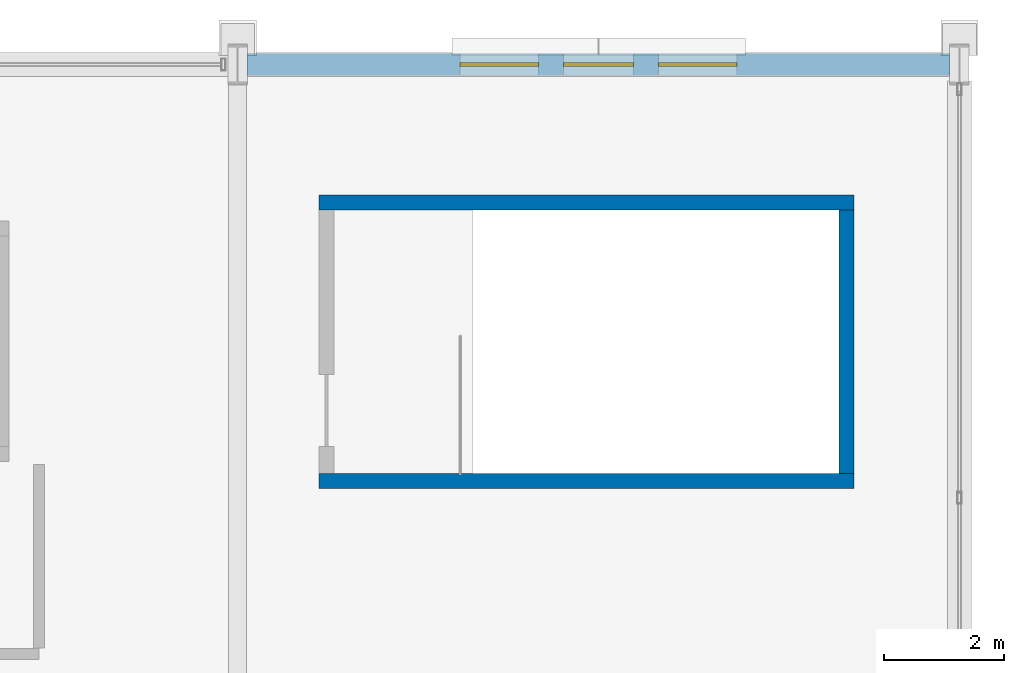
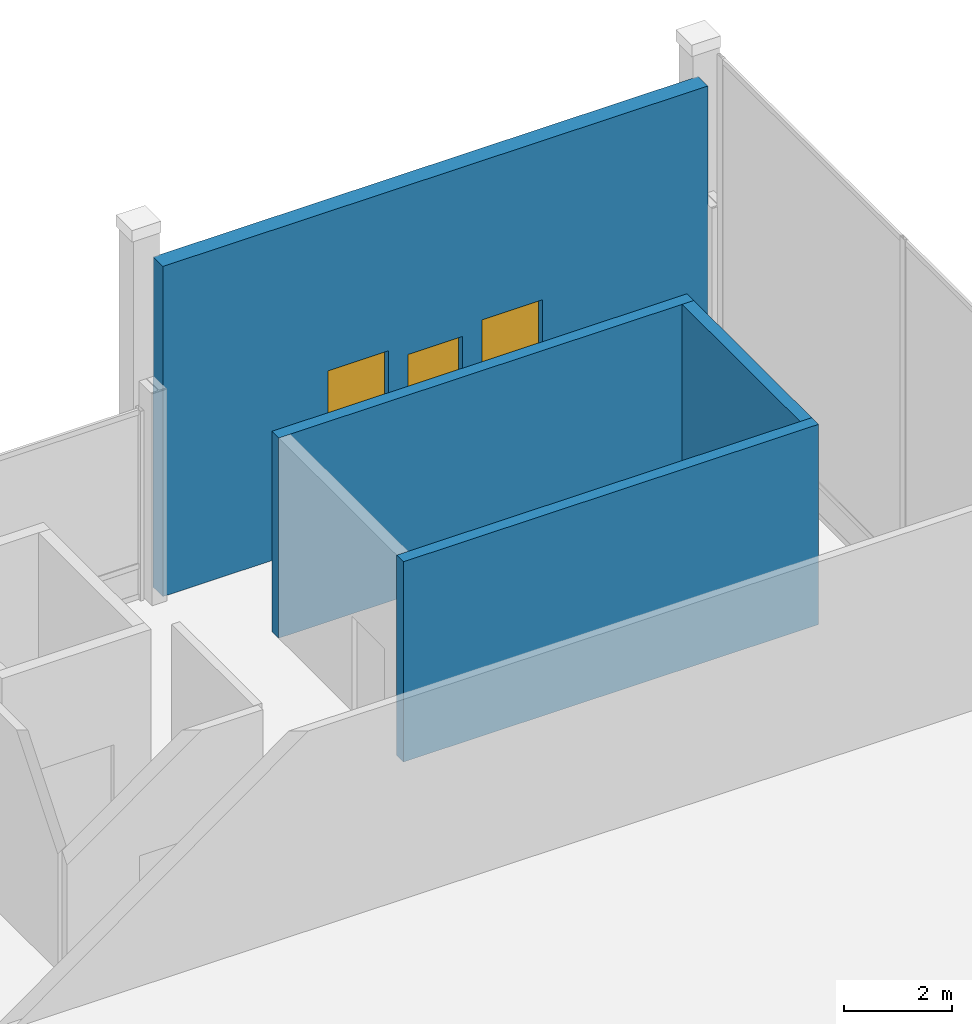
# One storey, part 152 of 193: 4 walls, 3 windows, 3 openings.
"""IFC4 building model written with IfcOpenShell, lengths in metres."""

from ifc_helpers import new_model, si_unit, direction, frame, frame_2d, origin, place, context, subcontext, project, spatial, rectangle, extrude, material, layer, layer_set, type_object, element, fill, save


model = new_model("IFC4")

# Units and contexts
model_context = context("Model", 3, precision=1e-05, world=origin(), true_north=direction((0.0, 1.0)))
body_context = subcontext(model_context, "Body", "Model", "MODEL_VIEW")
ifc_project = project(units=[si_unit("LENGTHUNIT", "METRE"), si_unit("AREAUNIT", "SQUARE_METRE"), si_unit("VOLUMEUNIT", "CUBIC_METRE"), si_unit("PLANEANGLEUNIT", "RADIAN"), si_unit("MASSUNIT", "GRAM", prefix="KILO")], contexts=[model_context])

# Site, building, storey
site_placement = place(None, origin())
site = spatial("IfcSite", under=ifc_project, at=site_placement, CompositionType="ELEMENT")
building_placement = place(site_placement, origin())
building = spatial("IfcBuilding", under=site, at=building_placement, Name="Cendralis Lancet Convention Centre", CompositionType="ELEMENT")
storey_placement = place(building_placement, frame((0.0, 0.0, 10.199951171875)))
storey = spatial("IfcBuildingStorey", under=building, at=storey_placement, Name="L02", CompositionType="ELEMENT", Elevation=10.199951171875)

# Wall, openings, windows
ifc_material_1 = material(Name="Buff sandstone ashlar and Concrete G40 (C40/50)", Category="masonry")
ifc_layer_1 = layer(ifc_material_1, 0.360107421875, Name="Buff sandstone ashlar and Concrete G40 (C40/50)")
ifc_layer_set_1 = layer_set([ifc_layer_1], Name="Buff sandstone ashlar and Concrete G40 (C40/50)")
wall_type_1 = type_object("IfcWallType", Name="ARC-EW-W360", PredefinedType="STANDARD", material=ifc_layer_set_1)
wall_1_placement = place(storey_placement, frame((196.9580078125, 136.800048828125, 0.0), z_axis=(0.0, 0.0, 1.0), x_axis=(1.0, 0.0, 0.0)))
wall_1 = element("IfcWall", 1, at=wall_1_placement, inside=storey, type_object=wall_type_1, Name="L02 V3 Exterior Wall EW-04 #0161", PredefinedType="STANDARD", context=body_context, shape_type="SweptSolid", body=[
    extrude(rectangle(XDim=11.68408203125, YDim=0.360107421875, at=frame_2d((5.842041015625, 0.0))), origin(), (0.0, 0.0, 1.0), 7.485107421875),
])
opening_1_placement = place(wall_1_placement, frame((3.5419921875, 0.0, 0.5)))
opening_1 = element("IfcOpeningElement", 2, at=opening_1_placement, cuts=wall_1, Name="Opening WN-18", PredefinedType="OPENING", context=body_context, shape_type="SweptSolid", body=[
    extrude(rectangle(XDim=1.300048828125, YDim=3.3798828125, at=frame_2d((0.64990234375, 1.68994140625))), frame((0.0, 0.18994140625, 0.0), z_axis=(0.0, -1.0, 0.0), x_axis=(1.0, 0.0, 0.0)), (0.0, 0.0, 1.0), 0.380126953125),
])
opening_2_placement = place(wall_1_placement, frame((5.261962890625, 0.0, 0.5)))
opening_2 = element("IfcOpeningElement", 3, at=opening_2_placement, cuts=wall_1, Name="Opening WN-13", PredefinedType="OPENING", context=body_context, shape_type="SweptSolid", body=[
    extrude(rectangle(XDim=1.159912109375, YDim=3.14990234375, at=frame_2d((0.580078125, 1.574951171875))), frame((0.0, 0.18994140625, 0.0), z_axis=(0.0, -1.0, 0.0), x_axis=(1.0, 0.0, 0.0)), (0.0, 0.0, 1.0), 0.380126953125),
])
opening_3_placement = place(wall_1_placement, frame((6.842041015625, 0.0, 0.5)))
opening_3 = element("IfcOpeningElement", 4, at=opening_3_placement, cuts=wall_1, Name="Opening WN-18", PredefinedType="OPENING", context=body_context, shape_type="SweptSolid", body=[
    extrude(rectangle(XDim=1.300048828125, YDim=3.3798828125, at=frame_2d((0.64990234375, 1.68994140625))), frame((0.0, 0.18994140625, 0.0), z_axis=(0.0, -1.0, 0.0), x_axis=(1.0, 0.0, 0.0)), (0.0, 0.0, 1.0), 0.380126953125),
])
ifc_material_2 = material(Name="Double-glazed low-E solar-control glass", Category="glass")
window_type_1 = type_object("IfcWindowType", Name="ARC-WN-LW13", PartitioningType="SINGLE_PANEL", PredefinedType="WINDOW", material=ifc_material_2)
window_1_placement = place(opening_2_placement, origin())
window_1 = element("IfcWindow", 5, at=window_1_placement, inside=storey, type_object=window_type_1, Name="Gothic Lancet Window WN-13 #0318", OverallHeight=3.14990234375, OverallWidth=1.159912109375, PartitioningType="SINGLE_PANEL", PredefinedType="WINDOW", context=body_context, shape_type="SweptSolid", body=[
    extrude(rectangle(XDim=1.159912109375, YDim=3.14990234375, at=frame_2d((0.580078125, 1.574951171875))), frame((0.0, 0.030029296875, 0.0), z_axis=(0.0, -1.0, 0.0), x_axis=(1.0, 0.0, 0.0)), (0.0, 0.0, 1.0), 0.06005859375),
])
fill(opening_2, window_1)
window_type_2 = type_object("IfcWindowType", Name="ARC-WN-LW18", PartitioningType="SINGLE_PANEL", PredefinedType="WINDOW", material=ifc_material_2)
window_2_placement = place(opening_1_placement, origin())
window_2 = element("IfcWindow", 6, at=window_2_placement, inside=storey, type_object=window_type_2, Name="Gothic Lancet Window WN-18 #0317", OverallHeight=3.3798828125, OverallWidth=1.300048828125, PartitioningType="SINGLE_PANEL", PredefinedType="WINDOW", context=body_context, shape_type="SweptSolid", body=[
    extrude(rectangle(XDim=1.300048828125, YDim=3.3798828125, at=frame_2d((0.64990234375, 1.68994140625))), frame((0.0, 0.030029296875, 0.0), z_axis=(0.0, -1.0, 0.0), x_axis=(1.0, 0.0, 0.0)), (0.0, 0.0, 1.0), 0.06005859375),
])
fill(opening_1, window_2)
window_3_placement = place(opening_3_placement, origin())
window_3 = element("IfcWindow", 7, at=window_3_placement, inside=storey, type_object=window_type_2, Name="Gothic Lancet Window WN-18 #0319", OverallHeight=3.3798828125, OverallWidth=1.300048828125, PartitioningType="SINGLE_PANEL", PredefinedType="WINDOW", context=body_context, shape_type="SweptSolid", body=[
    extrude(rectangle(XDim=1.300048828125, YDim=3.3798828125, at=frame_2d((0.64990234375, 1.68994140625))), frame((0.0, 0.030029296875, 0.0), z_axis=(0.0, -1.0, 0.0), x_axis=(1.0, 0.0, 0.0)), (0.0, 0.0, 1.0), 0.06005859375),
])
fill(opening_3, window_3)

# Walls
ifc_material_3 = material(Name="Concrete G40 (C40/50)", Category="concrete")
ifc_layer_2 = layer(ifc_material_3, 0.25, Name="Concrete G40 (C40/50)")
ifc_layer_set_2 = layer_set([ifc_layer_2], Name="Concrete G40 (C40/50)")
wall_type_2 = type_object("IfcWallType", Name="STR-SW-CW250", PredefinedType="SHEAR", material=ifc_layer_set_2)
wall_2_placement = place(storey_placement, frame((206.925048828125, 130.0, 0.0), z_axis=(0.0, 0.0, 1.0), x_axis=(0.0, 1.0, 0.0)))
element("IfcWall", 8, at=wall_2_placement, inside=storey, type_object=wall_type_2, Name="L02 Stair Core ST-06 East Shear Wall", PredefinedType="SHEAR", context=body_context, shape_type="SweptSolid", body=[
    extrude(rectangle(XDim=4.3798828125, YDim=0.25, at=frame_2d((2.18994140625, 0.0))), origin(), (0.0, 0.0, 1.0), 4.5400390625),
])
for number, where, z_axis, x_axis, name in (
    (9, (198.14990234375, 129.875, 0.0), (0.0, 0.0, 1.0), (1.0, 0.0, 0.0), "L02 Stair Core ST-06 South Shear Wall"),
    (10, (198.14990234375, 134.5048828125, 0.0), (0.0, 0.0, 1.0), (1.0, 0.0, 0.0), "L02 Stair Core ST-06 North Shear Wall"),
):
    element("IfcWall", number, at=place(storey_placement, frame(where, z_axis=z_axis, x_axis=x_axis)), inside=storey, type_object=wall_type_2, Name=name, PredefinedType="SHEAR", context=body_context, shape_type="SweptSolid", body=[
        extrude(rectangle(XDim=8.900146484375, YDim=0.25, at=frame_2d((4.4501953125, 0.0))), origin(), (0.0, 0.0, 1.0), 4.5400390625),
    ])

save(model, "model.ifc")
